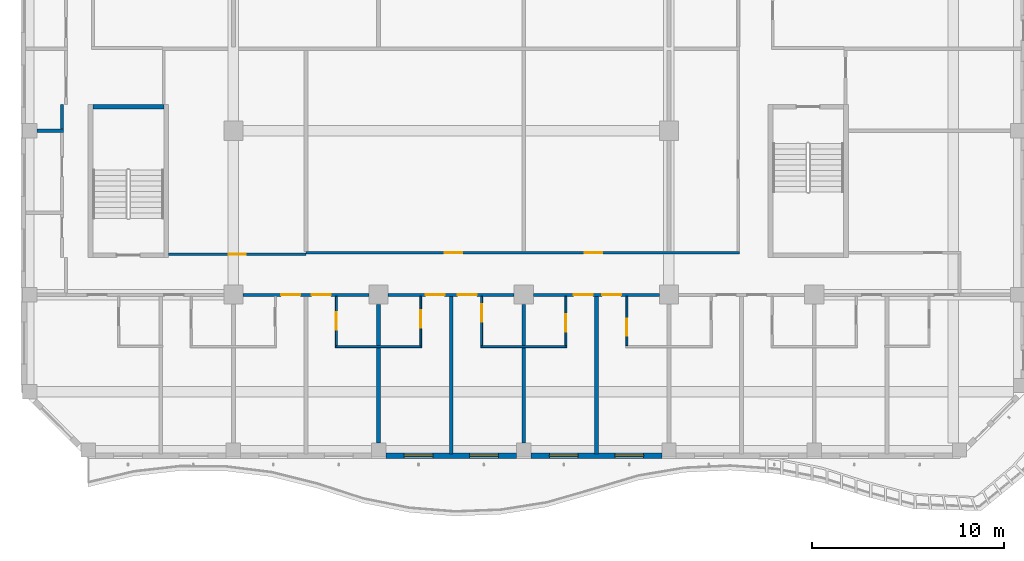
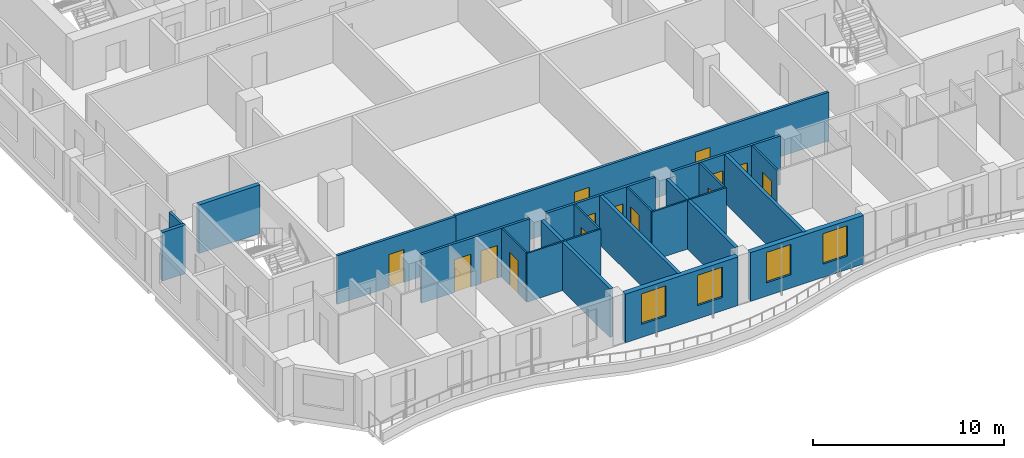
# One storey, part 3 of 23: 23 walls, 14 doors, 4 windows, 18 openings.
"""IFC4 building model written with IfcOpenShell, lengths in metres."""

from ifc_helpers import new_model, si_unit, direction, frame, frame_2d, origin, place, context, subcontext, project, spatial, rectangle, extrude, source, transform, mapped, material, layer, layer_set, type_object, element, fill, save


model = new_model("IFC4")

# Units and contexts
model_context = context("Model", 3, precision=1e-05, world=origin(), true_north=direction((0.0, 1.0)))
body_context = subcontext(model_context, "Body", "Model", "MODEL_VIEW")
ifc_project = project(units=[si_unit("LENGTHUNIT", "METRE"), si_unit("AREAUNIT", "SQUARE_METRE"), si_unit("VOLUMEUNIT", "CUBIC_METRE"), si_unit("PLANEANGLEUNIT", "RADIAN"), si_unit("MASSUNIT", "GRAM", prefix="KILO")], contexts=[model_context])

# Site, building, storey
site_placement = place(None, origin())
site = spatial("IfcSite", under=ifc_project, at=site_placement, CompositionType="ELEMENT")
building_placement = place(site_placement, origin())
building = spatial("IfcBuilding", under=site, at=building_placement, Name="Kilnfold Tower and Market Hall", CompositionType="ELEMENT")
storey_placement = place(building_placement, frame((0.0, 0.0, 203.300048828125)))
storey = spatial("IfcBuildingStorey", under=building, at=storey_placement, Name="L49", CompositionType="ELEMENT", Elevation=203.300048828125)

# Wall, openings, doors
ifc_material_1 = material(Name="Gypsum board on steel studs", Category="steel")
ifc_layer_1 = layer(ifc_material_1, 0.14990234375)
ifc_layer_set_1 = layer_set([ifc_layer_1], Name="Gypsum board on steel studs")
wall_type_1 = type_object("IfcWallType", Name="WALL CORRIDOR 150", PredefinedType="PARTITIONING", material=ifc_layer_set_1)
wall_1_placement = place(storey_placement, frame((-9.6669921875, -17.699951171875, 0.0), z_axis=(0.0, 0.0, 1.0), x_axis=(1.0, 0.0, 0.0)))
wall_1 = element("IfcWall", 1, at=wall_1_placement, inside=storey, type_object=wall_type_1, Name="Partition LY30.2", PredefinedType="PARTITIONING", context=body_context, shape_type="SweptSolid", body=[
    extrude(rectangle(XDim=6.583984375, YDim=0.14990234375, at=frame_2d((3.2919921875, 0.0))), origin(), (0.0, 0.0, 1.0), 3.119873046875),
])
opening_1_placement = place(wall_1_placement, frame((1.99609375, 0.0, 0.0)))
opening_1 = element("IfcOpeningElement", 2, at=opening_1_placement, cuts=wall_1, Name="Opening D1", PredefinedType="OPENING", context=body_context, shape_type="SweptSolid", body=[
    extrude(rectangle(XDim=1.0, YDim=2.10009765625, at=frame_2d((0.5, 1.050048828125))), frame((0.0, 0.0849609375, 0.0), z_axis=(0.0, -1.0, 0.0), x_axis=(1.0, 0.0, 0.0)), (0.0, 0.0, 1.0), 0.169921875),
])
opening_2_placement = place(wall_1_placement, frame((3.587890625, 0.0, 0.0)))
opening_2 = element("IfcOpeningElement", 3, at=opening_2_placement, cuts=wall_1, Name="Opening D1", PredefinedType="OPENING", context=body_context, shape_type="SweptSolid", body=[
    extrude(rectangle(XDim=1.0, YDim=2.10009765625, at=frame_2d((0.5, 1.050048828125))), frame((0.0, 0.0849609375, 0.0), z_axis=(0.0, -1.0, 0.0), x_axis=(1.0, 0.0, 0.0)), (0.0, 0.0, 1.0), 0.169921875),
])
ifc_material_2 = material(Name="Timber veneer door leaf in steel frame", Category="steel")
door_type_1 = type_object("IfcDoorType", Name="DOOR ENTRY 1000 X2100", OperationType="NOTDEFINED", PredefinedType="DOOR", material=ifc_material_2)
door_1_placement = place(opening_1_placement, origin())
door_1 = element("IfcDoor", 4, at=door_1_placement, inside=storey, type_object=door_type_1, Name="Door D1", OperationType="SINGLE_SWING_RIGHT", OverallHeight=2.10009765625, OverallWidth=1.0, PredefinedType="DOOR", context=body_context, shape_type="SweptSolid", body=[
    extrude(rectangle(XDim=1.0, YDim=2.10009765625, at=frame_2d((0.5, 1.050048828125))), frame((0.0, 0.02490234375, 0.0), z_axis=(0.0, -1.0, 0.0), x_axis=(1.0, 0.0, 0.0)), (0.0, 0.0, 1.0), 0.050048828125),
])
fill(opening_1, door_1)
door_2_placement = place(opening_2_placement, origin())
door_2 = element("IfcDoor", 5, at=door_2_placement, inside=storey, type_object=door_type_1, Name="Door D1", OperationType="SINGLE_SWING_RIGHT", OverallHeight=2.10009765625, OverallWidth=1.0, PredefinedType="DOOR", context=body_context, shape_type="SweptSolid", body=[
    extrude(rectangle(XDim=1.0, YDim=2.10009765625, at=frame_2d((0.5, 1.050048828125))), frame((0.0, 0.02490234375, 0.0), z_axis=(0.0, -1.0, 0.0), x_axis=(1.0, 0.0, 0.0)), (0.0, 0.0, 1.0), 0.050048828125),
])
fill(opening_2, door_2)

wall_2_placement = place(storey_placement, frame((-2.0830078125, -17.699951171875, 0.0), z_axis=(0.0, 0.0, 1.0), x_axis=(1.0, 0.0, 0.0)))
wall_2 = element("IfcWall", 6, at=wall_2_placement, inside=storey, type_object=wall_type_1, Name="Partition LY30.3", PredefinedType="PARTITIONING", context=body_context, shape_type="SweptSolid", body=[
    extrude(rectangle(XDim=6.5830078125, YDim=0.14990234375, at=frame_2d((3.29150390625, 0.0))), origin(), (0.0, 0.0, 1.0), 3.119873046875),
])
opening_3_placement = place(wall_2_placement, frame((1.949951171875, 0.0, 0.0)))
opening_3 = element("IfcOpeningElement", 7, at=opening_3_placement, cuts=wall_2, Name="Opening D1", PredefinedType="OPENING", context=body_context, shape_type="SweptSolid", body=[
    extrude(rectangle(XDim=1.0, YDim=2.10009765625, at=frame_2d((0.5, 1.050048828125))), frame((0.0, 0.0849609375, 0.0), z_axis=(0.0, -1.0, 0.0), x_axis=(1.0, 0.0, 0.0)), (0.0, 0.0, 1.0), 0.169921875),
])
opening_4_placement = place(wall_2_placement, frame((3.632080078125, 0.0, 0.0)))
opening_4 = element("IfcOpeningElement", 8, at=opening_4_placement, cuts=wall_2, Name="Opening D1", PredefinedType="OPENING", context=body_context, shape_type="SweptSolid", body=[
    extrude(rectangle(XDim=1.0, YDim=2.10009765625, at=frame_2d((0.5, 1.050048828125))), frame((0.0, 0.0849609375, 0.0), z_axis=(0.0, -1.0, 0.0), x_axis=(1.0, 0.0, 0.0)), (0.0, 0.0, 1.0), 0.169921875),
])
door_3_placement = place(opening_3_placement, origin())
door_3 = element("IfcDoor", 9, at=door_3_placement, inside=storey, type_object=door_type_1, Name="Door D1", OperationType="SINGLE_SWING_RIGHT", OverallHeight=2.10009765625, OverallWidth=1.0, PredefinedType="DOOR", context=body_context, shape_type="SweptSolid", body=[
    extrude(rectangle(XDim=1.0, YDim=2.10009765625, at=frame_2d((0.5, 1.050048828125))), frame((0.0, 0.02490234375, 0.0), z_axis=(0.0, -1.0, 0.0), x_axis=(1.0, 0.0, 0.0)), (0.0, 0.0, 1.0), 0.050048828125),
])
fill(opening_3, door_3)
door_4_placement = place(opening_4_placement, origin())
door_4 = element("IfcDoor", 10, at=door_4_placement, inside=storey, type_object=door_type_1, Name="Door D1", OperationType="SINGLE_SWING_LEFT", OverallHeight=2.10009765625, OverallWidth=1.0, PredefinedType="DOOR", context=body_context, shape_type="SweptSolid", body=[
    extrude(rectangle(XDim=1.0, YDim=2.10009765625, at=frame_2d((0.5, 1.050048828125))), frame((0.0, 0.02490234375, 0.0), z_axis=(0.0, -1.0, 0.0), x_axis=(1.0, 0.0, 0.0)), (0.0, 0.0, 1.0), 0.050048828125),
])
fill(opening_4, door_4)

wall_3_placement = place(storey_placement, frame((5.5, -17.699951171875, 0.0), z_axis=(0.0, 0.0, 1.0), x_axis=(1.0, 0.0, 0.0)))
wall_3 = element("IfcWall", 11, at=wall_3_placement, inside=storey, type_object=wall_type_1, Name="Partition LY30.4", PredefinedType="PARTITIONING", context=body_context, shape_type="SweptSolid", body=[
    extrude(rectangle(XDim=6.5830078125, YDim=0.14990234375, at=frame_2d((3.29150390625, 0.0))), origin(), (0.0, 0.0, 1.0), 3.119873046875),
])
opening_5_placement = place(wall_3_placement, frame((2.10107421875, 0.0, 0.0)))
opening_5 = element("IfcOpeningElement", 12, at=opening_5_placement, cuts=wall_3, Name="Opening D1", PredefinedType="OPENING", context=body_context, shape_type="SweptSolid", body=[
    extrude(rectangle(XDim=1.0, YDim=2.10009765625, at=frame_2d((0.5, 1.050048828125))), frame((0.0, 0.0849609375, 0.0), z_axis=(0.0, -1.0, 0.0), x_axis=(1.0, 0.0, 0.0)), (0.0, 0.0, 1.0), 0.169921875),
])
opening_6_placement = place(wall_3_placement, frame((3.5869140625, 0.0, 0.0)))
opening_6 = element("IfcOpeningElement", 13, at=opening_6_placement, cuts=wall_3, Name="Opening D1", PredefinedType="OPENING", context=body_context, shape_type="SweptSolid", body=[
    extrude(rectangle(XDim=1.0, YDim=2.10009765625, at=frame_2d((0.5, 1.050048828125))), frame((0.0, 0.0849609375, 0.0), z_axis=(0.0, -1.0, 0.0), x_axis=(1.0, 0.0, 0.0)), (0.0, 0.0, 1.0), 0.169921875),
])
door_5_placement = place(opening_5_placement, origin())
door_5 = element("IfcDoor", 14, at=door_5_placement, inside=storey, type_object=door_type_1, Name="Door D1", OperationType="SINGLE_SWING_LEFT", OverallHeight=2.10009765625, OverallWidth=1.0, PredefinedType="DOOR", context=body_context, shape_type="SweptSolid", body=[
    extrude(rectangle(XDim=1.0, YDim=2.10009765625, at=frame_2d((0.5, 1.050048828125))), frame((0.0, 0.02490234375, 0.0), z_axis=(0.0, -1.0, 0.0), x_axis=(1.0, 0.0, 0.0)), (0.0, 0.0, 1.0), 0.050048828125),
])
fill(opening_5, door_5)
door_6_placement = place(opening_6_placement, origin())
door_6 = element("IfcDoor", 15, at=door_6_placement, inside=storey, type_object=door_type_1, Name="Door D1", OperationType="SINGLE_SWING_RIGHT", OverallHeight=2.10009765625, OverallWidth=1.0, PredefinedType="DOOR", context=body_context, shape_type="SweptSolid", body=[
    extrude(rectangle(XDim=1.0, YDim=2.10009765625, at=frame_2d((0.5, 1.050048828125))), frame((0.0, 0.02490234375, 0.0), z_axis=(0.0, -1.0, 0.0), x_axis=(1.0, 0.0, 0.0)), (0.0, 0.0, 1.0), 0.050048828125),
])
fill(opening_6, door_6)

# Wall
wall_4_placement = place(storey_placement, frame((-19.113037109375, -9.034912109375, 0.0), z_axis=(0.0, 0.0, 1.0), x_axis=(0.0, 1.0, 0.0)))
element("IfcWall", 16, at=wall_4_placement, inside=storey, type_object=wall_type_1, Name="Partition LY30.13", PredefinedType="PARTITIONING", context=body_context, shape_type="SweptSolid", body=[
    extrude(rectangle(XDim=1.27783203125, YDim=0.14990234375, at=frame_2d((0.638916015625, 0.0))), origin(), (0.0, 0.0, 1.0), 3.119873046875),
])

# Wall, opening, door
wall_5_placement = place(storey_placement, frame((-6.364990234375, -15.574951171875, 0.0), z_axis=(0.0, 0.0, 1.0), x_axis=(-1.0, 0.0, 0.0)))
wall_5 = element("IfcWall", 17, at=wall_5_placement, inside=storey, type_object=wall_type_1, Name="Partition LY30.39", PredefinedType="PARTITIONING", context=body_context, shape_type="SweptSolid", body=[
    extrude(rectangle(XDim=7.18505859375, YDim=0.14990234375, at=frame_2d((3.592529296875, 0.0))), origin(), (0.0, 0.0, 1.0), 3.119873046875),
])
opening_7_placement = place(wall_5_placement, frame((3.14306640625, 0.0, 0.0)))
opening_7 = element("IfcOpeningElement", 18, at=opening_7_placement, cuts=wall_5, Name="Opening D2", PredefinedType="OPENING", context=body_context, shape_type="SweptSolid", body=[
    extrude(rectangle(XDim=0.89990234375, YDim=2.10009765625, at=frame_2d((0.449951171875, 1.050048828125))), frame((0.0, 0.0849609375, 0.0), z_axis=(0.0, -1.0, 0.0), x_axis=(1.0, 0.0, 0.0)), (0.0, 0.0, 1.0), 0.169921875),
])
ifc_material_3 = material(Name="Timber veneer door leaf in steel frame", Category="steel")
door_type_2 = type_object("IfcDoorType", Name="DOOR ROOM 900 X2100", OperationType="NOTDEFINED", PredefinedType="DOOR", material=ifc_material_3)
door_7_placement = place(opening_7_placement, origin())
door_7 = element("IfcDoor", 19, at=door_7_placement, inside=storey, type_object=door_type_2, Name="Door D2", OperationType="SINGLE_SWING_RIGHT", OverallHeight=2.10009765625, OverallWidth=0.89990234375, PredefinedType="DOOR", context=body_context, shape_type="SweptSolid", body=[
    extrude(rectangle(XDim=0.89990234375, YDim=2.10009765625, at=frame_2d((0.449951171875, 1.050048828125))), frame((0.0, 0.02490234375, 0.0), z_axis=(0.0, -1.0, 0.0), x_axis=(1.0, 0.0, 0.0)), (0.0, 0.0, 1.0), 0.050048828125),
])
fill(opening_7, door_7)

# Wall, openings, doors
wall_6_placement = place(storey_placement, frame((-6.385009765625, -15.5, 0.0), z_axis=(0.0, 0.0, 1.0), x_axis=(1.0, 0.0, 0.0)))
wall_6 = element("IfcWall", 20, at=wall_6_placement, inside=storey, type_object=wall_type_1, Name="Partition LY30.40", PredefinedType="PARTITIONING", context=body_context, shape_type="SweptSolid", body=[
    extrude(rectangle(XDim=22.659912109375, YDim=0.14990234375, at=frame_2d((11.330078125, 0.0))), origin(), (0.0, 0.0, 1.0), 3.119873046875),
])
opening_8_placement = place(wall_6_placement, frame((7.26611328125, 0.0, 0.0)))
opening_8 = element("IfcOpeningElement", 21, at=opening_8_placement, cuts=wall_6, Name="Opening D2", PredefinedType="OPENING", context=body_context, shape_type="SweptSolid", body=[
    extrude(rectangle(XDim=0.89990234375, YDim=2.10009765625, at=frame_2d((0.449951171875, 1.050048828125))), frame((0.0, 0.0849609375, 0.0), z_axis=(0.0, -1.0, 0.0), x_axis=(1.0, 0.0, 0.0)), (0.0, 0.0, 1.0), 0.169921875),
])
opening_9_placement = place(wall_6_placement, frame((14.575927734375, 0.0, 0.0)))
opening_9 = element("IfcOpeningElement", 22, at=opening_9_placement, cuts=wall_6, Name="Opening D2", PredefinedType="OPENING", context=body_context, shape_type="SweptSolid", body=[
    extrude(rectangle(XDim=0.89990234375, YDim=2.10009765625, at=frame_2d((0.449951171875, 1.050048828125))), frame((0.0, 0.0849609375, 0.0), z_axis=(0.0, -1.0, 0.0), x_axis=(1.0, 0.0, 0.0)), (0.0, 0.0, 1.0), 0.169921875),
])
door_8_placement = place(opening_8_placement, origin())
door_8 = element("IfcDoor", 23, at=door_8_placement, inside=storey, type_object=door_type_2, Name="Door D2", OperationType="SINGLE_SWING_LEFT", OverallHeight=2.10009765625, OverallWidth=0.89990234375, PredefinedType="DOOR", context=body_context, shape_type="SweptSolid", body=[
    extrude(rectangle(XDim=0.89990234375, YDim=2.10009765625, at=frame_2d((0.449951171875, 1.050048828125))), frame((0.0, 0.02490234375, 0.0), z_axis=(0.0, -1.0, 0.0), x_axis=(1.0, 0.0, 0.0)), (0.0, 0.0, 1.0), 0.050048828125),
])
fill(opening_8, door_8)
door_9_placement = place(opening_9_placement, origin())
door_9 = element("IfcDoor", 24, at=door_9_placement, inside=storey, type_object=door_type_2, Name="Door D2", OperationType="SINGLE_SWING_RIGHT", OverallHeight=2.10009765625, OverallWidth=0.89990234375, PredefinedType="DOOR", context=body_context, shape_type="SweptSolid", body=[
    extrude(rectangle(XDim=0.89990234375, YDim=2.10009765625, at=frame_2d((0.449951171875, 1.050048828125))), frame((0.0, 0.02490234375, 0.0), z_axis=(0.0, -1.0, 0.0), x_axis=(1.0, 0.0, 0.0)), (0.0, 0.0, 1.0), 0.050048828125),
])
fill(opening_9, door_9)

# Wall, opening, door
ifc_material_4 = material(Name="Gypsum board on steel studs", Category="steel")
ifc_layer_2 = layer(ifc_material_4, 0.10009765625)
ifc_layer_set_2 = layer_set([ifc_layer_2], Name="Gypsum board on steel studs")
wall_type_2 = type_object("IfcWallType", Name="WALL PARTITION 100", PredefinedType="PARTITIONING", material=ifc_layer_set_2)
wall_7_placement = place(storey_placement, frame((-4.782958984375, -20.35205078125, 0.0), z_axis=(0.0, 0.0, 1.0), x_axis=(0.0, 1.0, 0.0)))
wall_7 = element("IfcWall", 25, at=wall_7_placement, inside=storey, type_object=wall_type_2, Name="Partition LY30.53", PredefinedType="PARTITIONING", context=body_context, shape_type="SweptSolid", body=[
    extrude(rectangle(XDim=2.574951171875, YDim=0.10009765625, at=frame_2d((1.28759765625, 0.0))), origin(), (0.0, 0.0, 1.0), 3.119873046875),
])
opening_10_placement = place(wall_7_placement, frame((0.8369140625, 0.0, 0.0)))
opening_10 = element("IfcOpeningElement", 26, at=opening_10_placement, cuts=wall_7, Name="Opening D3", PredefinedType="OPENING", context=body_context, shape_type="SweptSolid", body=[
    extrude(rectangle(XDim=0.89990234375, YDim=2.10009765625, at=frame_2d((0.449951171875, 1.050048828125))), frame((0.0, 0.06005859375, 0.0), z_axis=(0.0, -1.0, 0.0), x_axis=(1.0, 0.0, 0.0)), (0.0, 0.0, 1.0), 0.1201171875),
])
ifc_material_5 = material(Name="Timber veneer door leaf in steel frame", Category="steel")
door_type_3 = type_object("IfcDoorType", Name="DOOR WC 900 X2100", OperationType="NOTDEFINED", PredefinedType="DOOR", material=ifc_material_5)
door_10_placement = place(opening_10_placement, origin())
door_10 = element("IfcDoor", 27, at=door_10_placement, inside=storey, type_object=door_type_3, Name="Door D3", OperationType="SINGLE_SWING_LEFT", OverallHeight=2.10009765625, OverallWidth=0.89990234375, PredefinedType="DOOR", context=body_context, shape_type="SweptSolid", body=[
    extrude(rectangle(XDim=0.89990234375, YDim=2.10009765625, at=frame_2d((0.449951171875, 1.050048828125))), frame((0.0, 0.02490234375, 0.0), z_axis=(0.0, -1.0, 0.0), x_axis=(1.0, 0.0, 0.0)), (0.0, 0.0, 1.0), 0.050048828125),
])
fill(opening_10, door_10)

# Wall
wall_8_placement = place(storey_placement, frame((-4.8330078125, -20.402099609375, 0.0), z_axis=(0.0, 0.0, 1.0), x_axis=(1.0, 0.0, 0.0)))
element("IfcWall", 28, at=wall_8_placement, inside=storey, type_object=wall_type_2, Name="Partition LY30.54", PredefinedType="PARTITIONING", context=body_context, shape_type="SweptSolid", body=[
    extrude(rectangle(XDim=4.5, YDim=0.10009765625, at=frame_2d((2.25, 0.0))), origin(), (0.0, 0.0, 1.0), 3.119873046875),
])

# Wall, opening, door
wall_9_placement = place(storey_placement, frame((-0.383056640625, -17.777099609375, 0.0), z_axis=(0.0, 0.0, 1.0), x_axis=(0.0, -1.0, 0.0)))
wall_9 = element("IfcWall", 29, at=wall_9_placement, inside=storey, type_object=wall_type_2, Name="Partition LY30.57", PredefinedType="PARTITIONING", context=body_context, shape_type="SweptSolid", body=[
    extrude(rectangle(XDim=2.574951171875, YDim=0.10009765625, at=frame_2d((1.28759765625, 0.0))), origin(), (0.0, 0.0, 1.0), 3.119873046875),
])
opening_11_placement = place(wall_9_placement, frame((0.73095703125, 0.0, 0.0)))
opening_11 = element("IfcOpeningElement", 30, at=opening_11_placement, cuts=wall_9, Name="Opening D3", PredefinedType="OPENING", context=body_context, shape_type="SweptSolid", body=[
    extrude(rectangle(XDim=0.89990234375, YDim=2.10009765625, at=frame_2d((0.449951171875, 1.050048828125))), frame((0.0, 0.06005859375, 0.0), z_axis=(0.0, -1.0, 0.0), x_axis=(1.0, 0.0, 0.0)), (0.0, 0.0, 1.0), 0.1201171875),
])
door_11_placement = place(opening_11_placement, origin())
door_11 = element("IfcDoor", 31, at=door_11_placement, inside=storey, type_object=door_type_3, Name="Door D3", OperationType="SINGLE_SWING_RIGHT", OverallHeight=2.10009765625, OverallWidth=0.89990234375, PredefinedType="DOOR", context=body_context, shape_type="SweptSolid", body=[
    extrude(rectangle(XDim=0.89990234375, YDim=2.10009765625, at=frame_2d((0.449951171875, 1.050048828125))), frame((0.0, 0.02490234375, 0.0), z_axis=(0.0, -1.0, 0.0), x_axis=(1.0, 0.0, 0.0)), (0.0, 0.0, 1.0), 0.050048828125),
])
fill(opening_11, door_11)

wall_10_placement = place(storey_placement, frame((2.800048828125, -20.35205078125, 0.0), z_axis=(0.0, 0.0, 1.0), x_axis=(0.0, 1.0, 0.0)))
wall_10 = element("IfcWall", 32, at=wall_10_placement, inside=storey, type_object=wall_type_2, Name="Partition LY30.59", PredefinedType="PARTITIONING", context=body_context, shape_type="SweptSolid", body=[
    extrude(rectangle(XDim=2.574951171875, YDim=0.10009765625, at=frame_2d((1.28759765625, 0.0))), origin(), (0.0, 0.0, 1.0), 3.119873046875),
])
opening_12_placement = place(wall_10_placement, frame((1.261962890625, 0.0, 0.0)))
opening_12 = element("IfcOpeningElement", 33, at=opening_12_placement, cuts=wall_10, Name="Opening D3", PredefinedType="OPENING", context=body_context, shape_type="SweptSolid", body=[
    extrude(rectangle(XDim=0.89990234375, YDim=2.10009765625, at=frame_2d((0.449951171875, 1.050048828125))), frame((0.0, 0.06005859375, 0.0), z_axis=(0.0, -1.0, 0.0), x_axis=(1.0, 0.0, 0.0)), (0.0, 0.0, 1.0), 0.1201171875),
])
door_12_placement = place(opening_12_placement, origin())
door_12 = element("IfcDoor", 34, at=door_12_placement, inside=storey, type_object=door_type_3, Name="Door D3", OperationType="SINGLE_SWING_LEFT", OverallHeight=2.10009765625, OverallWidth=0.89990234375, PredefinedType="DOOR", context=body_context, shape_type="SweptSolid", body=[
    extrude(rectangle(XDim=0.89990234375, YDim=2.10009765625, at=frame_2d((0.449951171875, 1.050048828125))), frame((0.0, 0.02490234375, 0.0), z_axis=(0.0, -1.0, 0.0), x_axis=(1.0, 0.0, 0.0)), (0.0, 0.0, 1.0), 0.050048828125),
])
fill(opening_12, door_12)

# Wall
wall_11_placement = place(storey_placement, frame((2.75, -20.402099609375, 0.0), z_axis=(0.0, 0.0, 1.0), x_axis=(1.0, 0.0, 0.0)))
element("IfcWall", 35, at=wall_11_placement, inside=storey, type_object=wall_type_2, Name="Partition LY30.60", PredefinedType="PARTITIONING", context=body_context, shape_type="SweptSolid", body=[
    extrude(rectangle(XDim=4.5, YDim=0.10009765625, at=frame_2d((2.25, 0.0))), origin(), (0.0, 0.0, 1.0), 3.119873046875),
])

# Wall, opening, door
wall_12_placement = place(storey_placement, frame((7.199951171875, -17.777099609375, 0.0), z_axis=(0.0, 0.0, 1.0), x_axis=(0.0, -1.0, 0.0)))
wall_12 = element("IfcWall", 36, at=wall_12_placement, inside=storey, type_object=wall_type_2, Name="Partition LY30.63", PredefinedType="PARTITIONING", context=body_context, shape_type="SweptSolid", body=[
    extrude(rectangle(XDim=2.574951171875, YDim=0.10009765625, at=frame_2d((1.28759765625, 0.0))), origin(), (0.0, 0.0, 1.0), 3.119873046875),
])
opening_13_placement = place(wall_12_placement, frame((0.944091796875, 0.0, 0.0)))
opening_13 = element("IfcOpeningElement", 37, at=opening_13_placement, cuts=wall_12, Name="Opening D3", PredefinedType="OPENING", context=body_context, shape_type="SweptSolid", body=[
    extrude(rectangle(XDim=0.89990234375, YDim=2.10009765625, at=frame_2d((0.449951171875, 1.050048828125))), frame((0.0, 0.06005859375, 0.0), z_axis=(0.0, -1.0, 0.0), x_axis=(1.0, 0.0, 0.0)), (0.0, 0.0, 1.0), 0.1201171875),
])
door_13_placement = place(opening_13_placement, origin())
door_13 = element("IfcDoor", 38, at=door_13_placement, inside=storey, type_object=door_type_3, Name="Door D3", OperationType="SINGLE_SWING_RIGHT", OverallHeight=2.10009765625, OverallWidth=0.89990234375, PredefinedType="DOOR", context=body_context, shape_type="SweptSolid", body=[
    extrude(rectangle(XDim=0.89990234375, YDim=2.10009765625, at=frame_2d((0.449951171875, 1.050048828125))), frame((0.0, 0.02490234375, 0.0), z_axis=(0.0, -1.0, 0.0), x_axis=(1.0, 0.0, 0.0)), (0.0, 0.0, 1.0), 0.050048828125),
])
fill(opening_13, door_13)

wall_13_placement = place(storey_placement, frame((10.383056640625, -20.35205078125, 0.0), z_axis=(0.0, 0.0, 1.0), x_axis=(0.0, 1.0, 0.0)))
wall_13 = element("IfcWall", 39, at=wall_13_placement, inside=storey, type_object=wall_type_2, Name="Partition LY30.65", PredefinedType="PARTITIONING", context=body_context, shape_type="SweptSolid", body=[
    extrude(rectangle(XDim=2.574951171875, YDim=0.10009765625, at=frame_2d((1.28759765625, 0.0))), origin(), (0.0, 0.0, 1.0), 3.119873046875),
])
opening_14_placement = place(wall_13_placement, frame((0.51904296875, 0.0, 0.0)))
opening_14 = element("IfcOpeningElement", 40, at=opening_14_placement, cuts=wall_13, Name="Opening D3", PredefinedType="OPENING", context=body_context, shape_type="SweptSolid", body=[
    extrude(rectangle(XDim=0.89990234375, YDim=2.10009765625, at=frame_2d((0.449951171875, 1.050048828125))), frame((0.0, 0.06005859375, 0.0), z_axis=(0.0, -1.0, 0.0), x_axis=(1.0, 0.0, 0.0)), (0.0, 0.0, 1.0), 0.1201171875),
])
door_14_placement = place(opening_14_placement, origin())
door_14 = element("IfcDoor", 41, at=door_14_placement, inside=storey, type_object=door_type_3, Name="Door D3", OperationType="SINGLE_SWING_RIGHT", OverallHeight=2.10009765625, OverallWidth=0.89990234375, PredefinedType="DOOR", context=body_context, shape_type="SweptSolid", body=[
    extrude(rectangle(XDim=0.89990234375, YDim=2.10009765625, at=frame_2d((0.449951171875, 1.050048828125))), frame((0.0, 0.02490234375, 0.0), z_axis=(0.0, -1.0, 0.0), x_axis=(1.0, 0.0, 0.0)), (0.0, 0.0, 1.0), 0.050048828125),
])
fill(opening_14, door_14)

# Walls
ifc_material_6 = material(Name="Gypsum board on steel studs", Category="steel")
ifc_layer_3 = layer(ifc_material_6, 0.199951171875)
ifc_layer_set_3 = layer_set([ifc_layer_3], Name="Gypsum board on steel studs")
wall_type_3 = type_object("IfcWallType", Name="WALL PARTY 200", PredefinedType="PARTITIONING", material=ifc_layer_set_3)
wall_14_placement = place(storey_placement, frame((-2.5830078125, -25.425048828125, 0.0), z_axis=(0.0, 0.0, 1.0), x_axis=(0.0, 1.0, 0.0)))
element("IfcWall", 42, at=wall_14_placement, inside=storey, type_object=wall_type_3, Name="Partition LY30.55", PredefinedType="PARTITIONING", context=body_context, shape_type="SweptSolid", body=[
    extrude(rectangle(XDim=4.97314453125, YDim=0.199951171875, at=frame_2d((2.486572265625, 0.0))), origin(), (0.0, 0.0, 1.0), 3.119873046875),
])
wall_15_placement = place(storey_placement, frame((-2.5830078125, -20.35205078125, 0.0), z_axis=(0.0, 0.0, 1.0), x_axis=(0.0, 1.0, 0.0)))
element("IfcWall", 43, at=wall_15_placement, inside=storey, type_object=wall_type_3, Name="Partition LY30.56", PredefinedType="PARTITIONING", context=body_context, shape_type="SweptSolid", body=[
    extrude(rectangle(XDim=2.1640625, YDim=0.199951171875, at=frame_2d((1.08203125, 0.0))), origin(), (0.0, 0.0, 1.0), 3.119873046875),
])
wall_16_placement = place(storey_placement, frame((1.2080078125, -26.0, 0.0), z_axis=(0.0, 0.0, 1.0), x_axis=(0.0, 1.0, 0.0)))
element("IfcWall", 44, at=wall_16_placement, inside=storey, type_object=wall_type_3, Name="Partition LY30.58", PredefinedType="PARTITIONING", context=body_context, shape_type="SweptSolid", body=[
    extrude(rectangle(XDim=8.222900390625, YDim=0.199951171875, at=frame_2d((4.111328125, 0.0))), origin(), (0.0, 0.0, 1.0), 3.119873046875),
])
wall_17_placement = place(storey_placement, frame((5.0, -25.425048828125, 0.0), z_axis=(0.0, 0.0, 1.0), x_axis=(0.0, 1.0, 0.0)))
element("IfcWall", 45, at=wall_17_placement, inside=storey, type_object=wall_type_3, Name="Partition LY30.61", PredefinedType="PARTITIONING", context=body_context, shape_type="SweptSolid", body=[
    extrude(rectangle(XDim=4.97314453125, YDim=0.199951171875, at=frame_2d((2.486572265625, 0.0))), origin(), (0.0, 0.0, 1.0), 3.119873046875),
])
wall_18_placement = place(storey_placement, frame((5.0, -20.35205078125, 0.0), z_axis=(0.0, 0.0, 1.0), x_axis=(0.0, 1.0, 0.0)))
element("IfcWall", 46, at=wall_18_placement, inside=storey, type_object=wall_type_3, Name="Partition LY30.62", PredefinedType="PARTITIONING", context=body_context, shape_type="SweptSolid", body=[
    extrude(rectangle(XDim=2.1640625, YDim=0.199951171875, at=frame_2d((1.08203125, 0.0))), origin(), (0.0, 0.0, 1.0), 3.119873046875),
])
wall_19_placement = place(storey_placement, frame((8.791015625, -26.0, 0.0), z_axis=(0.0, 0.0, 1.0), x_axis=(0.0, 1.0, 0.0)))
element("IfcWall", 47, at=wall_19_placement, inside=storey, type_object=wall_type_3, Name="Partition LY30.64", PredefinedType="PARTITIONING", context=body_context, shape_type="SweptSolid", body=[
    extrude(rectangle(XDim=8.222900390625, YDim=0.199951171875, at=frame_2d((4.111328125, 0.0))), origin(), (0.0, 0.0, 1.0), 3.119873046875),
])
wall_20_placement = place(storey_placement, frame((-20.425048828125, -9.125, 0.0), z_axis=(0.0, 0.0, 1.0), x_axis=(1.0, 0.0, 0.0)))
element("IfcWall", 48, at=wall_20_placement, inside=storey, type_object=wall_type_3, Name="Partition LY30.84", PredefinedType="PARTITIONING", context=body_context, shape_type="SweptSolid", body=[
    extrude(rectangle(XDim=1.39794921875, YDim=0.199951171875, at=frame_2d((0.698974609375, 0.0))), origin(), (0.0, 0.0, 1.0), 3.119873046875),
])
ifc_material_7 = material(Name="Concrete C60", Category="concrete")
ifc_layer_4 = layer(ifc_material_7, 0.25)
ifc_layer_set_4 = layer_set([ifc_layer_4], Name="Concrete C60")
wall_type_4 = type_object("IfcWallType", Name="CORE WALL 250 C60", PredefinedType="SHEAR", material=ifc_layer_set_4)
shared_shape_1 = source(origin(), body_context, "Body", "SweptSolid", [
    extrude(rectangle(XDim=3.699951171875, YDim=0.25, at=frame_2d((1.85009765625, 0.0))), origin(), (0.0, 0.0, 1.0), 3.119873046875),
])
wall_21_placement = place(storey_placement, frame((-17.5, -7.875, 0.0), z_axis=(0.0, 0.0, 1.0), x_axis=(1.0, 0.0, 0.0)))
element("IfcWall", 49, at=wall_21_placement, inside=storey, type_object=wall_type_4, Name="Stair enclosure ST3", PredefinedType="SHEAR", context=body_context, shape_type="MappedRepresentation", body=[
    mapped(shared_shape_1, transform((0.0, 0.0, 0.0))),
])

# Wall, openings, windows
ifc_material_8 = material(Name="Precast concrete C50/60", Category="concrete")
ifc_layer_5 = layer(ifc_material_8, 0.300048828125)
ifc_layer_set_5 = layer_set([ifc_layer_5], Name="Precast concrete C50/60")
wall_type_5 = type_object("IfcWallType", Name="PRECAST WALL 300", PredefinedType="SOLIDWALL", material=ifc_layer_set_5)
shared_shape_2 = source(origin(), body_context, "Body", "SweptSolid", [
    extrude(rectangle(XDim=6.833251953125, YDim=0.300048828125, at=frame_2d((3.41650390625, 0.0))), origin(), (0.0, 0.0, 1.0), 3.119873046875),
])
wall_22_placement = place(storey_placement, frame((-2.208251953125, -26.10009765625, 0.0), z_axis=(0.0, 0.0, 1.0), x_axis=(1.0, 0.0, 0.0)))
wall_22 = element("IfcWall", 50, at=wall_22_placement, inside=storey, type_object=wall_type_5, Name="External wall L49 S", PredefinedType="SOLIDWALL", context=body_context, shape_type="MappedRepresentation", body=[
    mapped(shared_shape_2, transform((0.0, 0.0, 0.0))),
])
opening_15_placement = place(wall_22_placement, frame((0.958251953125, 0.0, 0.85009765625)))
opening_15 = element("IfcOpeningElement", 51, at=opening_15_placement, cuts=wall_22, Name="Opening W4", PredefinedType="OPENING", context=body_context, shape_type="SweptSolid", body=[
    extrude(rectangle(XDim=1.5, YDim=1.949951171875, at=frame_2d((0.75, 0.97509765625))), frame((0.0, 0.16015625, 0.0), z_axis=(0.0, -1.0, 0.0), x_axis=(1.0, 0.0, 0.0)), (0.0, 0.0, 1.0), 0.320068359375),
])
opening_16_placement = place(wall_22_placement, frame((4.375, 0.0, 0.85009765625)))
opening_16 = element("IfcOpeningElement", 52, at=opening_16_placement, cuts=wall_22, Name="Opening W4", PredefinedType="OPENING", context=body_context, shape_type="SweptSolid", body=[
    extrude(rectangle(XDim=1.5, YDim=1.949951171875, at=frame_2d((0.75, 0.97509765625))), frame((0.0, 0.16015625, 0.0), z_axis=(0.0, -1.0, 0.0), x_axis=(1.0, 0.0, 0.0)), (0.0, 0.0, 1.0), 0.320068359375),
])
ifc_material_9 = material(Name="Aluminium frame and double glazing", Category="aluminium")
window_type = type_object("IfcWindowType", Name="WINDOW W4 1500X1950", PartitioningType="SINGLE_PANEL", PredefinedType="WINDOW", material=ifc_material_9)
window_1_placement = place(opening_15_placement, origin())
window_1 = element("IfcWindow", 53, at=window_1_placement, inside=storey, type_object=window_type, Name="Window W4 L49 S-1", OverallHeight=1.949951171875, OverallWidth=1.5, PartitioningType="SINGLE_PANEL", PredefinedType="WINDOW", context=body_context, shape_type="SweptSolid", body=[
    extrude(rectangle(XDim=1.5, YDim=1.949951171875, at=frame_2d((0.75, 0.97509765625))), frame((0.0, 0.030029296875, 0.0), z_axis=(0.0, -1.0, 0.0), x_axis=(1.0, 0.0, 0.0)), (0.0, 0.0, 1.0), 0.06005859375),
])
fill(opening_15, window_1)
window_2_placement = place(opening_16_placement, origin())
window_2 = element("IfcWindow", 54, at=window_2_placement, inside=storey, type_object=window_type, Name="Window W4 L49 S-2", OverallHeight=1.949951171875, OverallWidth=1.5, PartitioningType="SINGLE_PANEL", PredefinedType="WINDOW", context=body_context, shape_type="SweptSolid", body=[
    extrude(rectangle(XDim=1.5, YDim=1.949951171875, at=frame_2d((0.75, 0.97509765625))), frame((0.0, 0.030029296875, 0.0), z_axis=(0.0, -1.0, 0.0), x_axis=(1.0, 0.0, 0.0)), (0.0, 0.0, 1.0), 0.06005859375),
])
fill(opening_16, window_2)

wall_23_placement = place(storey_placement, frame((5.375, -26.10009765625, 0.0), z_axis=(0.0, 0.0, 1.0), x_axis=(1.0, 0.0, 0.0)))
wall_23 = element("IfcWall", 55, at=wall_23_placement, inside=storey, type_object=wall_type_5, Name="External wall L49 S", PredefinedType="SOLIDWALL", context=body_context, shape_type="MappedRepresentation", body=[
    mapped(shared_shape_2, transform((0.0, 0.0, 0.0))),
])
opening_17_placement = place(wall_23_placement, frame((0.958251953125, 0.0, 0.85009765625)))
opening_17 = element("IfcOpeningElement", 56, at=opening_17_placement, cuts=wall_23, Name="Opening W4", PredefinedType="OPENING", context=body_context, shape_type="SweptSolid", body=[
    extrude(rectangle(XDim=1.5, YDim=1.949951171875, at=frame_2d((0.75, 0.97509765625))), frame((0.0, 0.16015625, 0.0), z_axis=(0.0, -1.0, 0.0), x_axis=(1.0, 0.0, 0.0)), (0.0, 0.0, 1.0), 0.320068359375),
])
opening_18_placement = place(wall_23_placement, frame((4.375, 0.0, 0.85009765625)))
opening_18 = element("IfcOpeningElement", 57, at=opening_18_placement, cuts=wall_23, Name="Opening W4", PredefinedType="OPENING", context=body_context, shape_type="SweptSolid", body=[
    extrude(rectangle(XDim=1.5, YDim=1.949951171875, at=frame_2d((0.75, 0.97509765625))), frame((0.0, 0.16015625, 0.0), z_axis=(0.0, -1.0, 0.0), x_axis=(1.0, 0.0, 0.0)), (0.0, 0.0, 1.0), 0.320068359375),
])
window_3_placement = place(opening_17_placement, origin())
window_3 = element("IfcWindow", 58, at=window_3_placement, inside=storey, type_object=window_type, Name="Window W4 L49 S-1", OverallHeight=1.949951171875, OverallWidth=1.5, PartitioningType="SINGLE_PANEL", PredefinedType="WINDOW", context=body_context, shape_type="SweptSolid", body=[
    extrude(rectangle(XDim=1.5, YDim=1.949951171875, at=frame_2d((0.75, 0.97509765625))), frame((0.0, 0.030029296875, 0.0), z_axis=(0.0, -1.0, 0.0), x_axis=(1.0, 0.0, 0.0)), (0.0, 0.0, 1.0), 0.06005859375),
])
fill(opening_17, window_3)
window_4_placement = place(opening_18_placement, origin())
window_4 = element("IfcWindow", 59, at=window_4_placement, inside=storey, type_object=window_type, Name="Window W4 L49 S-2", OverallHeight=1.949951171875, OverallWidth=1.5, PartitioningType="SINGLE_PANEL", PredefinedType="WINDOW", context=body_context, shape_type="SweptSolid", body=[
    extrude(rectangle(XDim=1.5, YDim=1.949951171875, at=frame_2d((0.75, 0.97509765625))), frame((0.0, 0.030029296875, 0.0), z_axis=(0.0, -1.0, 0.0), x_axis=(1.0, 0.0, 0.0)), (0.0, 0.0, 1.0), 0.06005859375),
])
fill(opening_18, window_4)

save(model, "model.ifc")
